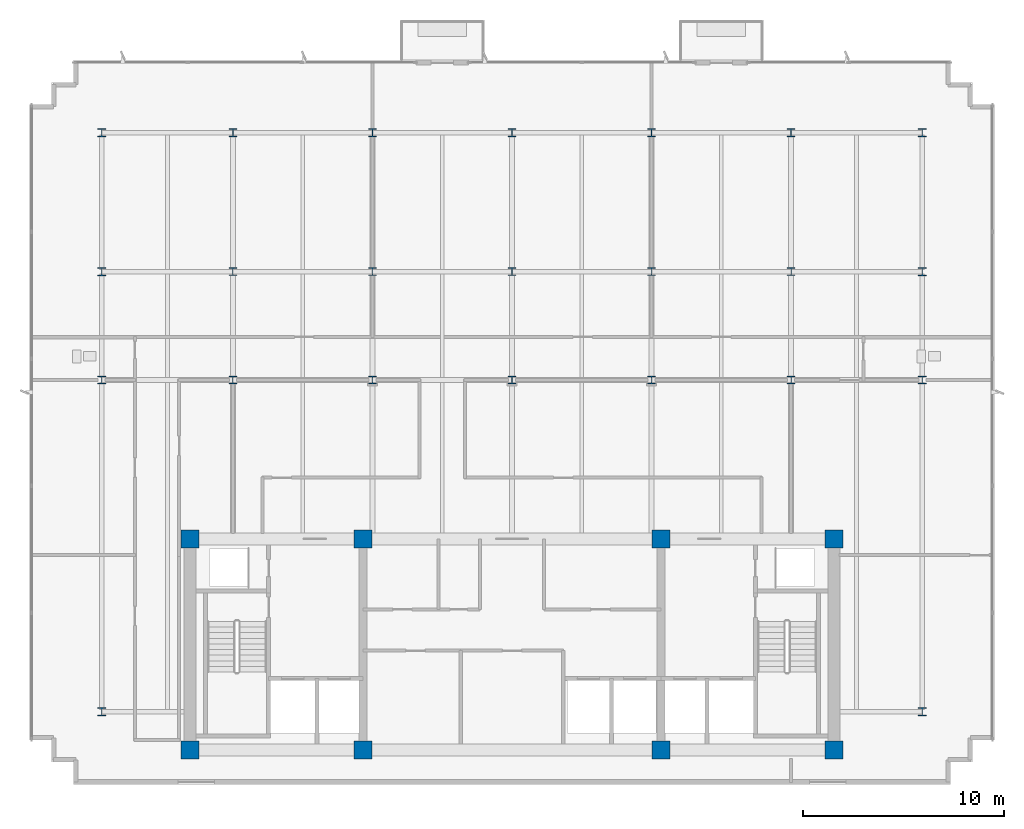
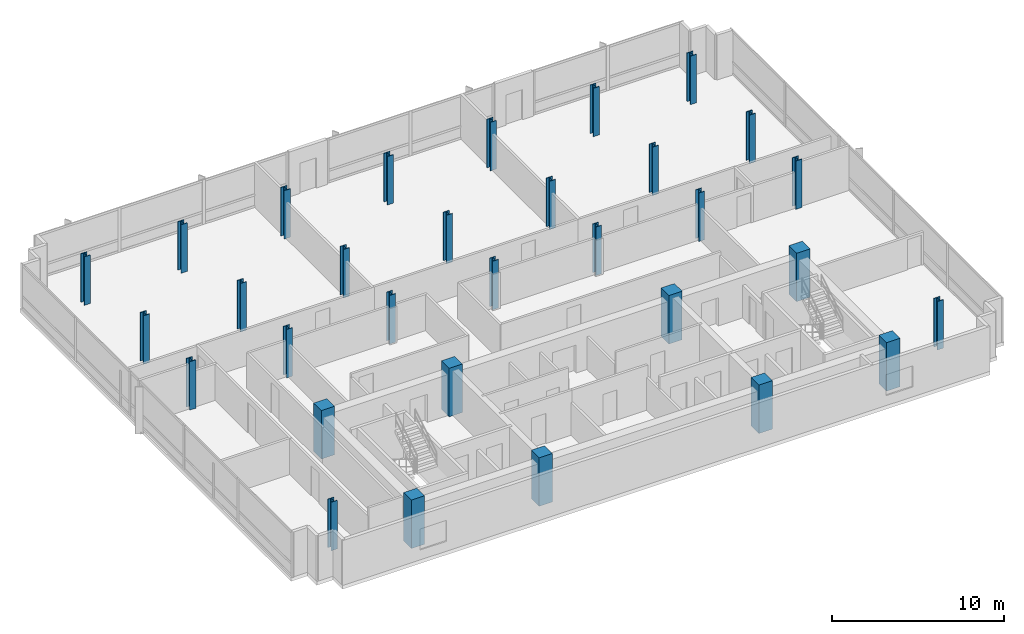
# One storey, part 1 of 13: 31 columns.
"""IFC4 building model written with IfcOpenShell, lengths in metres."""

import ifcopenshell
import ifcopenshell.guid

model = None  # the IFC model being written
_history = None  # IfcOwnerHistory: only IFC2X3 demands one
_inside = {}  # id of a spatial element -> (the spatial element, [elements in it])
_under = {}  # id of a project, library or spatial element -> (it, [spatial elements below it])
_declared = {}  # id of a project -> (the project, [libraries it declares])
_typed = {}  # id of a type object -> (the type object, [elements of that type])
_made_of = {}  # id of a material, layer set ... -> (it, [elements and type objects made of it])


def new_model(schema):
    """Start an empty IFC model of exactly this schema.

    Asked for "IFC4X3", IfcOpenShell would pick the latest addendum, in which some entities
    have other attributes; the version numbers below select the first issue.
    IFC2X3 requires an IfcOwnerHistory on every rooted entity: one is made here for all.
    """
    global model, _history
    if schema == "IFC4X3":
        model = ifcopenshell.file(schema_version=(4, 3, 0, 0))
    else:
        model = ifcopenshell.file(schema=schema)
    _inside.clear()
    _under.clear()
    _declared.clear()
    _typed.clear()
    _made_of.clear()
    _history = None
    if model.schema == "IFC2X3":
        org = make("IfcOrganization", Name="unknown")
        user = make(
            "IfcPersonAndOrganization",
            ThePerson=make("IfcPerson", FamilyName="unknown"),
            TheOrganization=org,
        )
        app = make(
            "IfcApplication",
            ApplicationDeveloper=org,
            Version="unknown",
            ApplicationFullName="unknown",
            ApplicationIdentifier="unknown",
        )
        _history = make(
            "IfcOwnerHistory",
            OwningUser=user,
            OwningApplication=app,
            ChangeAction="ADDED",
            CreationDate=0,
        )
    return model


def make(cls, **values):
    """One entity of the class cls with the attributes given. An attribute that is None is left unset."""
    return model.create_entity(
        cls, **{name: value for name, value in values.items() if value is not None}
    )


def rooted(cls, **values):
    """An entity with a GlobalId (a new one), such as an element, a storey or a relation."""
    return make(cls, GlobalId=ifcopenshell.guid.new(), OwnerHistory=_history, **values)


def si_unit(unit_type, name, prefix=None):
    """IfcSIUnit, for example si_unit("LENGTHUNIT", "METRE", prefix="MILLI")."""
    return make("IfcSIUnit", UnitType=unit_type, Prefix=prefix, Name=name)


def assignment(units):
    """IfcUnitAssignment: the units of a project."""
    return None if units is None else make("IfcUnitAssignment", Units=units)


def point(xyz):
    """IfcCartesianPoint."""
    return None if xyz is None else make("IfcCartesianPoint", Coordinates=xyz)


def direction(xyz):
    """IfcDirection."""
    return None if xyz is None else make("IfcDirection", DirectionRatios=xyz)


def frame(location, z_axis=None, x_axis=None):
    """IfcAxis2Placement3D, a coordinate frame: its origin and axes. An axis left out is left unset."""
    return make(
        "IfcAxis2Placement3D",
        Location=point(location),
        Axis=direction(z_axis),
        RefDirection=direction(x_axis),
    )


def frame_2d(location, x_axis=None):
    """IfcAxis2Placement2D, a coordinate frame in the plane: its origin and x axis."""
    return make(
        "IfcAxis2Placement2D", Location=point(location), RefDirection=direction(x_axis)
    )


def origin():
    """The frame at (0, 0, 0) with its axes left unset."""
    return frame((0.0, 0.0, 0.0))


def origin_2d():
    """The frame at (0, 0) in the plane with its x axis left unset."""
    return frame_2d((0.0, 0.0))


def place(relative_to, where):
    """IfcLocalPlacement: puts the frame where relative to a parent placement (None: the world)."""
    return make(
        "IfcLocalPlacement", PlacementRelTo=relative_to, RelativePlacement=where
    )


def context(
    kind, dimensions, precision=None, world=None, true_north=None, identifier=None
):
    """IfcGeometricRepresentationContext, for example the 3D "Model" context."""
    return make(
        "IfcGeometricRepresentationContext",
        ContextIdentifier=identifier,
        ContextType=kind,
        CoordinateSpaceDimension=dimensions,
        Precision=precision,
        WorldCoordinateSystem=world,
        TrueNorth=true_north,
    )


def subcontext(parent, identifier, kind, view, scale=None):
    """IfcGeometricRepresentationSubContext, for example "Body" below "Model"."""
    return make(
        "IfcGeometricRepresentationSubContext",
        ContextIdentifier=identifier,
        ContextType=kind,
        ParentContext=parent,
        TargetScale=scale,
        TargetView=view,
    )


def project(units=None, contexts=None):
    """IfcProject with its units and contexts."""
    return rooted(
        "IfcProject",
        Name="project",
        RepresentationContexts=contexts,
        UnitsInContext=assignment(units),
    )


def spatial(cls, under=None, at=None, **own):
    """A site, building, storey or space (cls), placed at a placement, below another one or the project."""
    s = rooted(cls, ObjectPlacement=at, **own)
    if under is not None:
        _under.setdefault(under.id(), (under, []))[1].append(s)
    return s


def profile(cls, at=None, kind="AREA", **sizes):
    """A parametric profile (cls). Its sizes go by their IFC names, for example OverallWidth=200.0."""
    return make(cls, ProfileType=kind, Position=at, **sizes)


def rectangle(**sizes):
    """IfcRectangleProfileDef."""
    return profile("IfcRectangleProfileDef", **sizes)


def i_section(**sizes):
    """IfcIShapeProfileDef."""
    return profile("IfcIShapeProfileDef", **sizes)


def extrude(swept, where, along, depth):
    """IfcExtrudedAreaSolid: the profile swept, set in the frame where, extruded along a direction by depth."""
    return make(
        "IfcExtrudedAreaSolid",
        SweptArea=swept,
        Position=where,
        ExtrudedDirection=direction(along),
        Depth=depth,
    )


def shape(context_of_items, identifier, shape_type, items):
    """IfcShapeRepresentation: the items that make up one representation, for example the "Body"."""
    return make(
        "IfcShapeRepresentation",
        ContextOfItems=context_of_items,
        RepresentationIdentifier=identifier,
        RepresentationType=shape_type,
        Items=items,
    )


def material(Name=None, Category=None):
    """IfcMaterial."""
    return make("IfcMaterial", Name=Name, Category=Category)


def material_profile(
    of_material, cross_section, Name=None, Category=None, Priority=None
):
    """IfcMaterialProfile: a cross section and its material."""
    return make(
        "IfcMaterialProfile",
        Name=Name,
        Material=of_material,
        Profile=cross_section,
        Priority=Priority,
        Category=Category,
    )


def profile_set(profiles, Name=None, composite=None):
    """IfcMaterialProfileSet."""
    return make(
        "IfcMaterialProfileSet",
        Name=Name,
        MaterialProfiles=profiles,
        CompositeProfile=composite,
    )


def made_of(thing, what):
    """Note that an element or type object is made of a material, layer set ...; save() writes the relation."""
    if what is not None:
        _made_of.setdefault(what.id(), (what, []))[1].append(thing)
    return thing


def type_object(cls, material=None, **own):
    """A type object (cls), such as IfcWallType, which elements share."""
    return made_of(rooted(cls, **own), material)


def element(
    cls,
    number,
    at=None,
    inside=None,
    cuts=None,
    type_object=None,
    material=None,
    context=None,
    identifier="Body",
    shape_type=None,
    held_by="IfcProductDefinitionShape",
    body=None,
    shapes=None,
    **own,
):
    """One element of the class cls, such as IfcWall. Its Tag is "e" and its number.

    at: its placement. inside: the storey or other place that contains it. cuts: it is an
    opening in that element (IfcRelVoidsElement). A single representation is given by context,
    identifier, shape_type and body (its items); several are given by shapes. held_by: the class
    of the entity that holds the representations. save() writes the other relations.
    """
    e = rooted(cls, Tag="e%d" % number, ObjectPlacement=at, **own)
    if body is not None:
        shapes = [shape(context, identifier, shape_type, body)]
    if shapes is not None:
        e.Representation = make(held_by, Representations=shapes)
    if inside is not None:
        _inside.setdefault(inside.id(), (inside, []))[1].append(e)
    if cuts is not None:
        rooted(
            "IfcRelVoidsElement", RelatingBuildingElement=cuts, RelatedOpeningElement=e
        )
    if type_object is not None:
        _typed.setdefault(type_object.id(), (type_object, []))[1].append(e)
    return made_of(e, material)


def aggregate(whole, parts):
    """IfcRelAggregates: a whole, such as a stair, and the parts it consists of."""
    return rooted("IfcRelAggregates", RelatingObject=whole, RelatedObjects=parts)


def save(model, path):
    """Write the relations noted so far, then the file.

    IfcRelAggregates (storeys below a building ...), IfcRelContainedInSpatialStructure (elements
    in a storey), IfcRelDefinesByType, IfcRelAssociatesMaterial and IfcRelDeclares: one each for
    every whole, place, type object, material and project.
    """
    for whole, parts in _under.values():
        aggregate(whole, parts)
    for where, things in _inside.values():
        rooted(
            "IfcRelContainedInSpatialStructure",
            RelatedElements=things,
            RelatingStructure=where,
        )
    for kind, things in _typed.values():
        rooted("IfcRelDefinesByType", RelatedObjects=things, RelatingType=kind)
    for what, things in _made_of.values():
        rooted("IfcRelAssociatesMaterial", RelatedObjects=things, RelatingMaterial=what)
    for by, libraries in _declared.values():
        rooted("IfcRelDeclares", RelatingContext=by, RelatedDefinitions=libraries)
    model.write(path)


model = new_model("IFC4")

# Units and contexts
model_context = context("Model", 3, precision=1e-05, world=origin(), true_north=direction((0.0, 1.0)))
body_context = subcontext(model_context, "Body", "Model", "MODEL_VIEW")
ifc_project = project(units=[si_unit("LENGTHUNIT", "METRE"), si_unit("AREAUNIT", "SQUARE_METRE"), si_unit("VOLUMEUNIT", "CUBIC_METRE"), si_unit("PLANEANGLEUNIT", "RADIAN"), si_unit("MASSUNIT", "GRAM", prefix="KILO")], contexts=[model_context])

# Site, building, storey
site_placement = place(None, origin())
site = spatial("IfcSite", under=ifc_project, at=site_placement, CompositionType="ELEMENT")
building_placement = place(site_placement, origin())
building = spatial("IfcBuilding", under=site, at=building_placement, Name="Solmavex Isthmus Hotel", CompositionType="ELEMENT")
storey_placement = place(building_placement, frame((0.0, 0.0, 279.89990234375)))
storey = spatial("IfcBuildingStorey", under=building, at=storey_placement, Name="L76", CompositionType="ELEMENT", Elevation=279.89990234375)

# Columns
ifc_material_1 = material(Name="Concrete C50/60", Category="concrete")
ifc_material_profile_1 = material_profile(ifc_material_1, rectangle(XDim=0.89990234375, YDim=0.89990234375, at=origin_2d()), Name="RC900X900")
ifc_profile_set_1 = profile_set([ifc_material_profile_1], Name="Concrete C50/60")
column_type_1 = type_object("IfcColumnType", Name="COL-CC-900", PredefinedType="COLUMN", material=ifc_profile_set_1)
for number, where, z_axis, x_axis, name in (
    (1, (-16.0, -13.0, 0.0), (0.0, 0.0, 1.0), (1.0, 0.0, 0.0), "Core Pilaster CC-SW L76"),
    (2, (-7.39990234375, -13.0, 0.0), (0.0, 0.0, 1.0), (1.0, 0.0, 0.0), "Core Pilaster CC-S1 L76"),
    (3, (7.39990234375, -13.0, 0.0), (0.0, 0.0, 1.0), (1.0, 0.0, 0.0), "Core Pilaster CC-S2 L76"),
    (4, (16.0, -13.0, 0.0), (0.0, 0.0, 1.0), (1.0, 0.0, 0.0), "Core Pilaster CC-SE L76"),
    (5, (-16.0, -2.5, 0.0), (0.0, 0.0, 1.0), (1.0, 0.0, 0.0), "Core Pilaster CC-NW L76"),
    (6, (-7.39990234375, -2.5, 0.0), (0.0, 0.0, 1.0), (1.0, 0.0, 0.0), "Core Pilaster CC-N1 L76"),
    (7, (7.39990234375, -2.5, 0.0), (0.0, 0.0, 1.0), (1.0, 0.0, 0.0), "Core Pilaster CC-N2 L76"),
    (8, (16.0, -2.5, 0.0), (0.0, 0.0, 1.0), (1.0, 0.0, 0.0), "Core Pilaster CC-NE L76"),
):
    element("IfcColumn", number, at=place(storey_placement, frame(where, z_axis=z_axis, x_axis=x_axis)), inside=storey, type_object=column_type_1, Name=name, PredefinedType="COLUMN", context=body_context, shape_type="SweptSolid", body=[
        extrude(rectangle(XDim=0.89990234375, YDim=0.89990234375, at=origin_2d()), origin(), (0.0, 0.0, 1.0), 3.4501953125),
    ])
ifc_material_2 = material(Name="Steel ASTM A913 Grade 65", Category="steel")
ifc_material_profile_2 = material_profile(ifc_material_2, i_section(OverallWidth=0.4013671875, OverallDepth=0.3994140625, WebThickness=0.02490234375, FlangeThickness=0.03955078125, FilletRadius=0.030517578125, at=origin_2d()), Name="W14X211")
ifc_profile_set_2 = profile_set([ifc_material_profile_2], Name="Steel ASTM A913 Grade 65")
column_type_2 = type_object("IfcColumnType", Name="COL-SC-W14X211", PredefinedType="COLUMN", material=ifc_profile_set_2)
for number, where, z_axis, x_axis, name in (
    (9, (-13.8720703125, 5.39990234375, 0.0), (0.0, 0.0, 1.0), (1.0, 0.0, 0.0), "Tower Column B5-U2V2 L76"),
    (10, (-13.8720703125, 10.7880859375, 0.0), (0.0, 0.0, 1.0), (1.0, 0.0, 0.0), "Tower Column B5-U2V3 L76"),
    (11, (-6.93603515625, 5.39990234375, 0.0), (0.0, 0.0, 1.0), (1.0, 0.0, 0.0), "Tower Column B5-U3V2 L76"),
    (12, (-6.93603515625, 10.7880859375, 0.0), (0.0, 0.0, 1.0), (1.0, 0.0, 0.0), "Tower Column B5-U3V3 L76"),
    (13, (0.0, 5.39990234375, 0.0), (0.0, 0.0, 1.0), (1.0, 0.0, 0.0), "Tower Column B5-U4V2 L76"),
    (14, (0.0, 10.7880859375, 0.0), (0.0, 0.0, 1.0), (1.0, 0.0, 0.0), "Tower Column B5-U4V3 L76"),
    (15, (6.93603515625, 5.39990234375, 0.0), (0.0, 0.0, 1.0), (1.0, 0.0, 0.0), "Tower Column B5-U5V2 L76"),
    (16, (6.93603515625, 10.7880859375, 0.0), (0.0, 0.0, 1.0), (1.0, 0.0, 0.0), "Tower Column B5-U5V3 L76"),
    (17, (13.8720703125, 5.39990234375, 0.0), (0.0, 0.0, 1.0), (1.0, 0.0, 0.0), "Tower Column B5-U6V2 L76"),
    (18, (13.8720703125, 10.7880859375, 0.0), (0.0, 0.0, 1.0), (1.0, 0.0, 0.0), "Tower Column B5-U6V3 L76"),
):
    element("IfcColumn", number, at=place(storey_placement, frame(where, z_axis=z_axis, x_axis=x_axis)), inside=storey, type_object=column_type_2, Name=name, PredefinedType="COLUMN", context=body_context, shape_type="SweptSolid", body=[
        extrude(i_section(OverallWidth=0.4013671875, OverallDepth=0.3994140625, WebThickness=0.02490234375, FlangeThickness=0.03955078125, FilletRadius=0.030517578125, at=origin_2d()), origin(), (0.0, 0.0, 1.0), 3.4501953125),
    ])
ifc_material_profile_3 = material_profile(ifc_material_2, i_section(OverallWidth=0.40625, OverallDepth=0.416015625, WebThickness=0.02978515625, FlangeThickness=0.048095703125, FilletRadius=0.030517578125, at=origin_2d()), Name="W14X257")
ifc_profile_set_3 = profile_set([ifc_material_profile_3], Name="Steel ASTM A913 Grade 65")
column_type_3 = type_object("IfcColumnType", Name="COL-SC-W14X257", PredefinedType="COLUMN", material=ifc_profile_set_3)
for number, where, z_axis, x_axis, name in (
    (19, (-20.39990234375, -11.10009765625, 0.0), (0.0, 0.0, 1.0), (1.0, 0.0, 0.0), "Tower Column B5-U1V1 L76"),
    (20, (-20.39990234375, 5.39990234375, 0.0), (0.0, 0.0, 1.0), (1.0, 0.0, 0.0), "Tower Column B5-U1V2 L76"),
    (21, (-20.39990234375, 10.7880859375, 0.0), (0.0, 0.0, 1.0), (1.0, 0.0, 0.0), "Tower Column B5-U1V3 L76"),
    (22, (-20.39990234375, 17.699951171875, 0.0), (0.0, 0.0, 1.0), (1.0, 0.0, 0.0), "Tower Column B5-U1V4 L76"),
    (23, (-13.8720703125, 17.699951171875, 0.0), (0.0, 0.0, 1.0), (1.0, 0.0, 0.0), "Tower Column B5-U2V4 L76"),
    (24, (-6.93603515625, 17.699951171875, 0.0), (0.0, 0.0, 1.0), (1.0, 0.0, 0.0), "Tower Column B5-U3V4 L76"),
    (25, (0.0, 17.699951171875, 0.0), (0.0, 0.0, 1.0), (1.0, 0.0, 0.0), "Tower Column B5-U4V4 L76"),
    (26, (6.93603515625, 17.699951171875, 0.0), (0.0, 0.0, 1.0), (1.0, 0.0, 0.0), "Tower Column B5-U5V4 L76"),
    (27, (13.8720703125, 17.699951171875, 0.0), (0.0, 0.0, 1.0), (1.0, 0.0, 0.0), "Tower Column B5-U6V4 L76"),
    (28, (20.39990234375, -11.10009765625, 0.0), (0.0, 0.0, 1.0), (1.0, 0.0, 0.0), "Tower Column B5-U7V1 L76"),
    (29, (20.39990234375, 5.39990234375, 0.0), (0.0, 0.0, 1.0), (1.0, 0.0, 0.0), "Tower Column B5-U7V2 L76"),
    (30, (20.39990234375, 10.7880859375, 0.0), (0.0, 0.0, 1.0), (1.0, 0.0, 0.0), "Tower Column B5-U7V3 L76"),
    (31, (20.39990234375, 17.699951171875, 0.0), (0.0, 0.0, 1.0), (1.0, 0.0, 0.0), "Tower Column B5-U7V4 L76"),
):
    element("IfcColumn", number, at=place(storey_placement, frame(where, z_axis=z_axis, x_axis=x_axis)), inside=storey, type_object=column_type_3, Name=name, PredefinedType="COLUMN", context=body_context, shape_type="SweptSolid", body=[
        extrude(i_section(OverallWidth=0.40625, OverallDepth=0.416015625, WebThickness=0.02978515625, FlangeThickness=0.048095703125, FilletRadius=0.030517578125, at=origin_2d()), origin(), (0.0, 0.0, 1.0), 3.4501953125),
    ])

save(model, "model.ifc")
